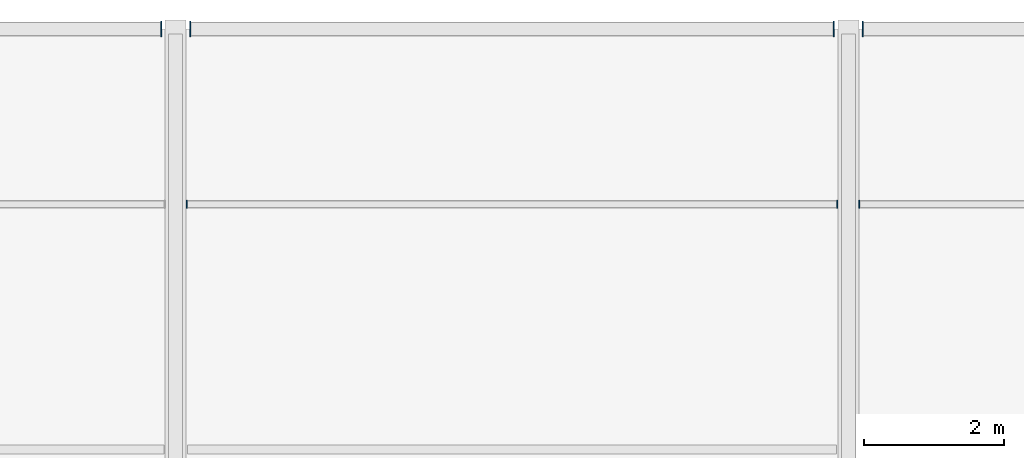
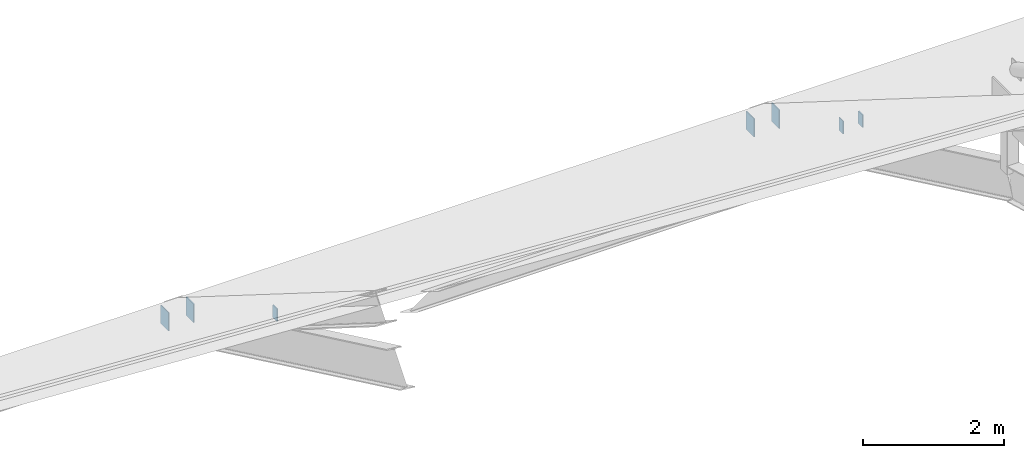
# One storey, part 55 of 66: 7 plates.
"""IFC4 building model written with IfcOpenShell, lengths in metres."""

from ifc_helpers import new_model, si_unit, direction, frame, origin, origin_2d, place, context, subcontext, project, spatial, rectangle, extrude, material, layer, layer_set, type_object, element, save


model = new_model("IFC4")

# Units and contexts
model_context = context("Model", 3, precision=1e-05, world=origin(), true_north=direction((0.0, 1.0)))
body_context = subcontext(model_context, "Body", "Model", "MODEL_VIEW")
ifc_project = project(units=[si_unit("LENGTHUNIT", "METRE"), si_unit("AREAUNIT", "SQUARE_METRE"), si_unit("VOLUMEUNIT", "CUBIC_METRE"), si_unit("PLANEANGLEUNIT", "RADIAN"), si_unit("MASSUNIT", "GRAM", prefix="KILO")], contexts=[model_context])

# Site, building, storey
site_placement = place(None, origin())
site = spatial("IfcSite", under=ifc_project, at=site_placement, CompositionType="ELEMENT")
building_placement = place(site_placement, origin())
building = spatial("IfcBuilding", under=site, at=building_placement, Name="Yeouljin Market Hall", CompositionType="ELEMENT")
storey_placement = place(building_placement, frame((0.0, 0.0, 23.39990234375)))
storey = spatial("IfcBuildingStorey", under=building, at=storey_placement, Name="RF", CompositionType="ELEMENT", Elevation=23.39990234375)

# Plates
ifc_material_1 = material(Name="Steel SM355", Category="steel")
ifc_layer_1 = layer(ifc_material_1, 0.01611328125)
ifc_layer_set_1 = layer_set([ifc_layer_1], Name="Steel SM355")
plate_type_1 = type_object("IfcPlateType", Name="CapPlate_220x120x16", PredefinedType="SHEET", material=ifc_layer_set_1)
for number, where, z_axis, x_axis, name in (
    (1, (83.55810546875, 75.5, -10.91845703125), (0.0, 0.0, 1.0), (0.0, 1.0, 0.0), "Purlin end-cap plate 0155"),
    (2, (92.842041015625, 75.5, -10.91845703125), (0.0, 0.0, 1.0), (0.0, 1.0, 0.0), "Purlin end-cap plate 0156"),
    (3, (93.157958984375, 75.5, -10.91845703125), (0.0, 0.0, 1.0), (0.0, 1.0, 0.0), "Purlin end-cap plate 0179"),
):
    element("IfcPlate", number, at=place(storey_placement, frame(where, z_axis=z_axis, x_axis=x_axis)), inside=storey, type_object=plate_type_1, Name=name, PredefinedType="SHEET", context=body_context, shape_type="SweptSolid", body=[
        extrude(rectangle(XDim=0.1201171875, YDim=0.01611328125, at=origin_2d()), origin(), (0.0, 0.0, 1.0), 0.219970703125),
    ])
ifc_material_2 = material(Name="Steel SM355", Category="steel")
ifc_layer_2 = layer(ifc_material_2, 0.01611328125)
ifc_layer_set_2 = layer_set([ifc_layer_2], Name="Steel SM355")
plate_type_2 = type_object("IfcPlateType", Name="CapPlate_320x220x16", PredefinedType="SHEET", material=ifc_layer_set_2)
for number, where, z_axis, x_axis, name in (
    (4, (83.19189453125, 78.0, -12.43994140625), (0.0, 0.0, 1.0), (0.0, 1.0, 0.0), "Eaves girder end-cap plate N05-E"),
    (5, (83.60791015625, 78.0, -12.43994140625), (0.0, 0.0, 1.0), (0.0, 1.0, 0.0), "Eaves girder end-cap plate N06-W"),
    (6, (92.7919921875, 78.0, -12.43994140625), (0.0, 0.0, 1.0), (0.0, 1.0, 0.0), "Eaves girder end-cap plate N06-E"),
    (7, (93.2080078125, 78.0, -12.43994140625), (0.0, 0.0, 1.0), (0.0, 1.0, 0.0), "Eaves girder end-cap plate N07-W"),
):
    element("IfcPlate", number, at=place(storey_placement, frame(where, z_axis=z_axis, x_axis=x_axis)), inside=storey, type_object=plate_type_2, Name=name, PredefinedType="SHEET", context=body_context, shape_type="SweptSolid", body=[
        extrude(rectangle(XDim=0.219970703125, YDim=0.01611328125, at=origin_2d()), origin(), (0.0, 0.0, 1.0), 0.320068359375),
    ])

save(model, "model.ifc")
